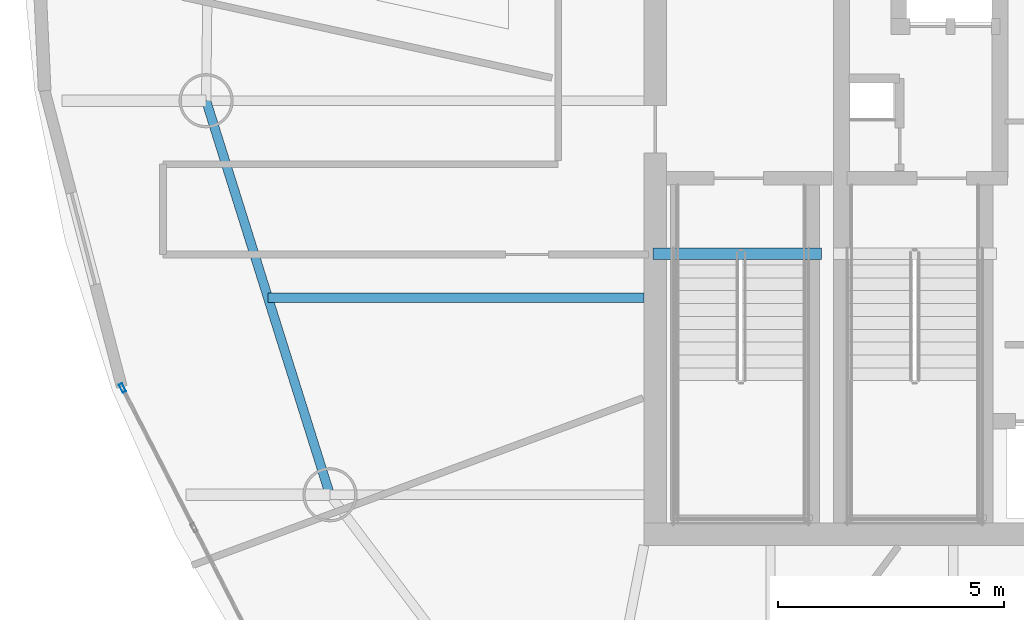
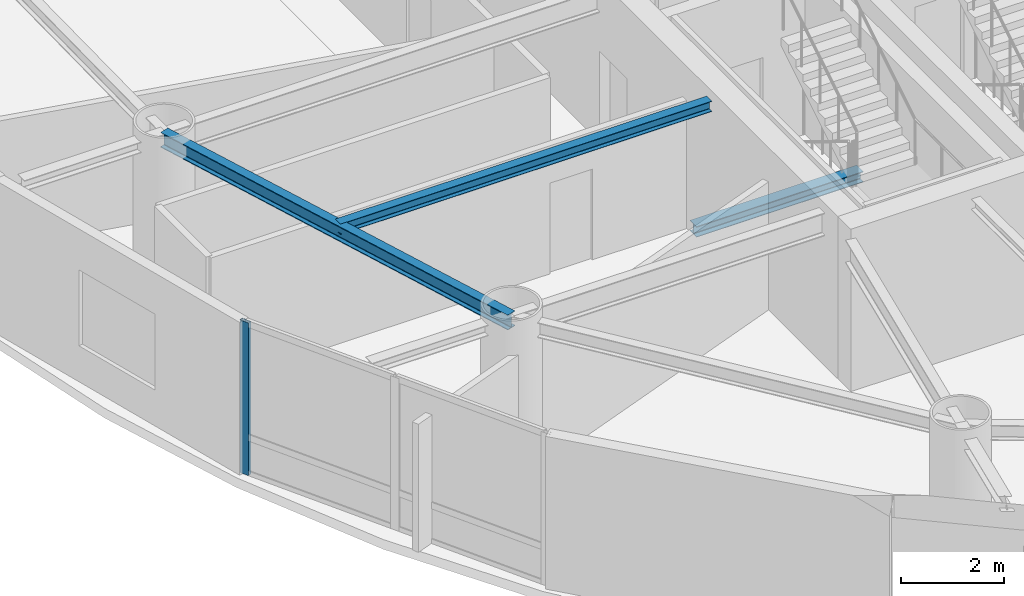
# One storey, part 6 of 23: 3 beams, 1 member, 1 element without a shape of its own.
"""IFC4 building model written with IfcOpenShell, lengths in metres."""

from ifc_helpers import new_model, si_unit, direction, frame, origin, origin_2d, place, context, subcontext, project, spatial, hollow_rectangle, i_section, extrude, material, layer, layer_set, material_profile, profile_set, type_object, element, aggregate, save


model = new_model("IFC4")

# Units and contexts
model_context = context("Model", 3, precision=1e-05, world=origin(), true_north=direction((0.0, 1.0)))
body_context = subcontext(model_context, "Body", "Model", "MODEL_VIEW")
ifc_project = project(units=[si_unit("LENGTHUNIT", "METRE"), si_unit("AREAUNIT", "SQUARE_METRE"), si_unit("VOLUMEUNIT", "CUBIC_METRE"), si_unit("PLANEANGLEUNIT", "RADIAN"), si_unit("MASSUNIT", "GRAM", prefix="KILO")], contexts=[model_context])

# Site, building, storey
site_placement = place(None, origin())
site = spatial("IfcSite", under=ifc_project, at=site_placement, CompositionType="ELEMENT")
building_placement = place(site_placement, origin())
building = spatial("IfcBuilding", under=site, at=building_placement, Name="Bramvorn Convention Spire", CompositionType="ELEMENT")
storey_placement = place(building_placement, frame((0.0, 0.0, 194.300048828125)))
storey = spatial("IfcBuildingStorey", under=building, at=storey_placement, Name="L49", CompositionType="ELEMENT", Elevation=194.300048828125)

# Beams
ifc_material_1 = material(Name="Steel CSA G40.21 Grade 350 (350W)", Category="steel")
ifc_material_profile_1 = material_profile(ifc_material_1, i_section(OverallWidth=0.201904296875, OverallDepth=0.2470703125, WebThickness=0.00732421875, FlangeThickness=0.010986328125, FilletRadius=0.011962890625, at=origin_2d()))
ifc_profile_set_1 = profile_set([ifc_material_profile_1], Name="Steel CSA G40.21 Grade 350 (350W) - W250X49")
beam_type_1 = type_object("IfcBeamType", Name="BM-W250X49", PredefinedType="JOIST", material=ifc_profile_set_1)
beam_1_placement = place(storey_placement, frame((26.75, 24.039794921875, 3.496337890625), z_axis=(-1.0, 0.0, 0.0), x_axis=(0.0, -1.0, 0.0)))
element("IfcBeam", 1, at=beam_1_placement, inside=storey, type_object=beam_type_1, Name="L49 composite floor joist 11", PredefinedType="JOIST", context=body_context, shape_type="SweptSolid", body=[
    extrude(i_section(OverallWidth=0.201904296875, OverallDepth=0.2470703125, WebThickness=0.00732421875, FlangeThickness=0.010986328125, FilletRadius=0.011962890625, at=origin_2d()), origin(), (0.0, 0.0, 1.0), 8.33251953125),
])
ifc_material_profile_2 = material_profile(ifc_material_1, i_section(OverallWidth=0.25390625, OverallDepth=0.2529296875, WebThickness=0.008544921875, FlangeThickness=0.01416015625, FilletRadius=0.011962890625, at=origin_2d()))
ifc_profile_set_2 = profile_set([ifc_material_profile_2], Name="Steel CSA G40.21 Grade 350 (350W) - W250X73")
beam_type_2 = type_object("IfcBeamType", Name="BM-W250X73", PredefinedType="BEAM", material=ifc_profile_set_2)
beam_2_placement = place(storey_placement, frame((26.949951171875, 25.010009765625, -0.12646484375), z_axis=(1.0, 0.0, 0.0), x_axis=(0.0, 1.0, 0.0)))
element("IfcBeam", 2, at=beam_2_placement, inside=storey, type_object=beam_type_2, Name="L49 ST1 stair arrival header beam", PredefinedType="BEAM", context=body_context, shape_type="SweptSolid", body=[
    extrude(i_section(OverallWidth=0.25390625, OverallDepth=0.2529296875, WebThickness=0.008544921875, FlangeThickness=0.01416015625, FilletRadius=0.011962890625, at=origin_2d()), origin(), (0.0, 0.0, 1.0), 3.739990234375),
])
ifc_material_profile_3 = material_profile(ifc_material_1, i_section(OverallWidth=0.205078125, OverallDepth=0.35400390625, WebThickness=0.009521484375, FlangeThickness=0.016845703125, FilletRadius=0.014892578125, at=origin_2d()))
ifc_profile_set_3 = profile_set([ifc_material_profile_3], Name="Steel CSA G40.21 Grade 350 (350W) - W360X79")
beam_type_3 = type_object("IfcBeamType", Name="BM-W360X79", PredefinedType="JOIST", material=ifc_profile_set_3)
beam_3_placement = place(storey_placement, frame((17.04541015625, 28.406494140625, 3.44287109375), z_axis=(0.299747542929, -0.954018558786, 0.0), x_axis=(0.954018558786, 0.299747542929, 0.0)))
element("IfcBeam", 3, at=beam_3_placement, inside=storey, type_object=beam_type_3, Name="L49 mega-column ring beam 11", PredefinedType="JOIST", context=body_context, shape_type="SweptSolid", body=[
    extrude(i_section(OverallWidth=0.205078125, OverallDepth=0.35400390625, WebThickness=0.009521484375, FlangeThickness=0.016845703125, FilletRadius=0.014892578125, at=origin_2d()), origin(), (0.0, 0.0, 1.0), 9.15478515625),
])

# Curtain wall, member
ifc_material_2 = material(Name="Anodised Bronze Unitised Curtain Wall", Category="aluminium")
ifc_layer = layer(ifc_material_2, 0.179931640625)
ifc_layer_set = layer_set([ifc_layer], Name="Anodised Bronze Unitised Curtain Wall - CW-OFF-FRIT")
curtain_wall_type = type_object("IfcCurtainWallType", Name="CW-OFF-FRIT", PredefinedType="USERDEFINED", material=ifc_layer_set)
curtain_wall_placement = place(storey_placement, origin())
curtain_wall = element("IfcCurtainWall", 4, at=curtain_wall_placement, inside=storey, type_object=curtain_wall_type, Name="L49 fritted glass curtain wall 17", ObjectType="UNITISED CURTAIN WALL", PredefinedType="USERDEFINED")
ifc_material_3 = material(Name="Anodised Bronze Aluminium 6063-T6", Category="aluminium")
ifc_material_profile_4 = material_profile(ifc_material_3, hollow_rectangle(XDim=0.080078125, YDim=0.199951171875, WallThickness=0.00390625, InnerFilletRadius=0.0009765625, OuterFilletRadius=0.00390625, at=origin_2d()))
ifc_profile_set_4 = profile_set([ifc_material_profile_4], Name="Anodised Bronze Aluminium 6063-T6 - CWM80X200")
member_type = type_object("IfcMemberType", Name="CW-MUL-180", PredefinedType="MULLION", material=ifc_profile_set_4)
member_placement = place(storey_placement, frame((15.190185546875, 22.037841796875, 0.0), z_axis=(0.0, 0.0, 1.0), x_axis=(-0.889736445864, -0.456474596119, 0.0)))
member = element("IfcMember", 5, at=member_placement, type_object=member_type, Name="CW3 mullion 3", PredefinedType="MULLION", context=body_context, shape_type="SweptSolid", body=[
    extrude(hollow_rectangle(XDim=0.080078125, YDim=0.199951171875, WallThickness=0.00390625, InnerFilletRadius=0.0009765625, OuterFilletRadius=0.00390625, at=origin_2d()), origin(), (0.0, 0.0, 1.0), 3.619873046875),
])
aggregate(curtain_wall, [member])

save(model, "model.ifc")
